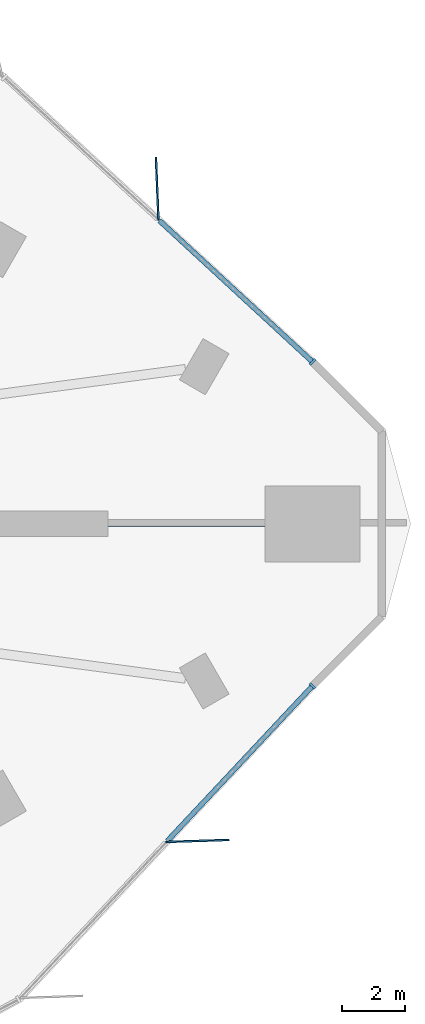
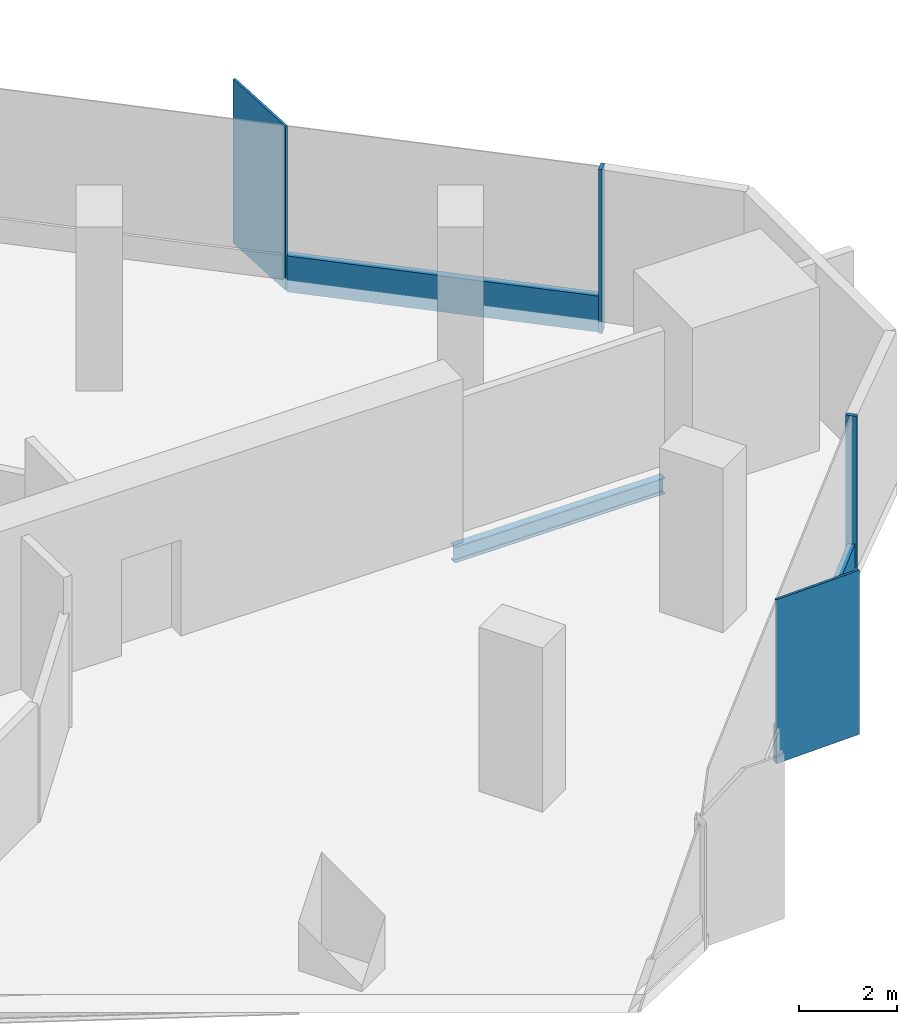
# One storey, part 6 of 14: 6 members, 1 beam, 2 elements without a shape of their own.
"""IFC4 building model written with IfcOpenShell, lengths in metres."""

from ifc_helpers import new_model, si_unit, direction, frame, origin, origin_2d, place, context, subcontext, project, spatial, rectangle, i_section, extrude, material, material_profile, profile_set, type_object, element, aggregate, save


model = new_model("IFC4")

# Units and contexts
model_context = context("Model", 3, precision=1e-05, world=origin(), true_north=direction((0.0, 1.0)))
body_context = subcontext(model_context, "Body", "Model", "MODEL_VIEW")
ifc_project = project(units=[si_unit("LENGTHUNIT", "METRE"), si_unit("AREAUNIT", "SQUARE_METRE"), si_unit("VOLUMEUNIT", "CUBIC_METRE"), si_unit("PLANEANGLEUNIT", "RADIAN"), si_unit("MASSUNIT", "GRAM", prefix="KILO")], contexts=[model_context])

# Site, building, storey
site_placement = place(None, origin())
site = spatial("IfcSite", under=ifc_project, at=site_placement, CompositionType="ELEMENT")
building_placement = place(site_placement, origin())
building = spatial("IfcBuilding", under=site, at=building_placement, Name="Tanit Gate Tower", CompositionType="ELEMENT")
storey_placement = place(building_placement, frame((0.0, 0.0, 123.39990234375)))
storey = spatial("IfcBuildingStorey", under=building, at=storey_placement, Name="L26", CompositionType="ELEMENT", Elevation=123.39990234375)

# Curtain wall, member
ifc_material_1 = material(Name="Aluminium bronze anodised and glass", Category="aluminium")
curtain_wall_type = type_object("IfcCurtainWallType", Name="Curtain wall typical low", PredefinedType="NOTDEFINED", material=ifc_material_1)
curtain_wall_1_placement = place(storey_placement, origin())
curtain_wall_1 = element("IfcCurtainWall", 1, at=curtain_wall_1_placement, inside=storey, type_object=curtain_wall_type, Name="Curtain wall L26 NE1", PredefinedType="NOTDEFINED")
ifc_material_2 = material(Name="Aluminium bronze anodised", Category="aluminium")
ifc_material_profile_1 = material_profile(ifc_material_2, rectangle(XDim=2.0, YDim=0.055908203125, at=origin_2d()), Name="56x2000 bronze fin mullion")
ifc_profile_set_1 = profile_set([ifc_material_profile_1], Name="Aluminium bronze anodised")
member_type_1 = type_object("IfcMemberType", Name="FIN MULLION 56x2000 bronze", PredefinedType="MULLION", material=ifc_profile_set_1)
member_1_placement = place(storey_placement, frame((35.520263671875, 10.579833984375, -0.2998046875), z_axis=(0.0, 0.0, 1.0), x_axis=(0.04032571996, -0.999186587335, 0.0)))
member_1 = element("IfcMember", 2, at=member_1_placement, type_object=member_type_1, Name="Fin mullion L26 NE1.2", PredefinedType="MULLION", context=body_context, shape_type="SweptSolid", body=[
    extrude(rectangle(XDim=2.0, YDim=0.055908203125, at=origin_2d()), origin(), (0.0, 0.0, 1.0), 4.099853515625),
])

curtain_wall_2_placement = place(storey_placement, origin())
curtain_wall_2 = element("IfcCurtainWall", 3, at=curtain_wall_2_placement, inside=storey, type_object=curtain_wall_type, Name="Curtain wall L26 SE3", PredefinedType="NOTDEFINED")
member_2_placement = place(storey_placement, frame((36.78857421875, -10.013427734375, -0.2998046875), z_axis=(0.0, 0.0, 1.0), x_axis=(-0.999463890821, -0.032740356511, 0.0)))
member_2 = element("IfcMember", 4, at=member_2_placement, type_object=member_type_1, Name="Fin mullion L26 SE3.2", PredefinedType="MULLION", context=body_context, shape_type="SweptSolid", body=[
    extrude(rectangle(XDim=2.0, YDim=0.055908203125, at=origin_2d()), origin(), (0.0, 0.0, 1.0), 4.099853515625),
])

# Member
ifc_material_3 = material(Name="Aluminium bronze anodised", Category="aluminium")
ifc_material_profile_2 = material_profile(ifc_material_3, rectangle(XDim=0.239990234375, YDim=0.080078125, at=origin_2d()), Name="80x240 bronze mullion")
ifc_profile_set_2 = profile_set([ifc_material_profile_2], Name="Aluminium bronze anodised")
member_type_2 = type_object("IfcMemberType", Name="Mullion 80x240 typical low", PredefinedType="MULLION", material=ifc_profile_set_2)
member_3_placement = place(storey_placement, frame((40.425537109375, 5.114990234375, -0.2998046875), z_axis=(0.0, 0.0, 1.0), x_axis=(-0.678017021535, -0.735046201615, 0.0)))
member_3 = element("IfcMember", 5, at=member_3_placement, type_object=member_type_2, Name="Mullion L26 NE1.1", PredefinedType="MULLION", context=body_context, shape_type="SweptSolid", body=[
    extrude(rectangle(XDim=0.239990234375, YDim=0.080078125, at=origin_2d()), origin(), (0.0, 0.0, 1.0), 4.099853515625),
])

member_4_placement = place(storey_placement, frame((40.42431640625, -5.1201171875, -0.2998046875), z_axis=(0.0, 0.0, 1.0), x_axis=(-0.729878622858, 0.683576766643, 0.0)))
member_4 = element("IfcMember", 6, at=member_4_placement, type_object=member_type_2, Name="Mullion L26 SE3.3", PredefinedType="MULLION", context=body_context, shape_type="SweptSolid", body=[
    extrude(rectangle(XDim=0.239990234375, YDim=0.080078125, at=origin_2d()), origin(), (0.0, 0.0, 1.0), 4.099853515625),
])

# Beam
ifc_material_4 = material(Name="Steel S355", Category="steel")
ifc_material_profile_3 = material_profile(ifc_material_4, i_section(OverallWidth=0.179931640625, OverallDepth=0.39990234375, WebThickness=0.008544921875, FlangeThickness=0.013427734375, FilletRadius=0.02099609375, at=origin_2d()), Name="IPE 400")
ifc_profile_set_3 = profile_set([ifc_material_profile_3], Name="Steel S355")
beam_type = type_object("IfcBeamType", Name="RADIAL GIRDER IPE 400 S355", PredefinedType="BEAM", material=ifc_profile_set_3)
beam_placement = place(storey_placement, frame((38.92529296875, 0.0, -0.5), z_axis=(-1.0, 0.0, 0.0), x_axis=(0.0, -1.0, 0.0)))
element("IfcBeam", 7, at=beam_placement, inside=storey, type_object=beam_type, Name="RADIAL GIRDER", PredefinedType="BEAM", context=body_context, shape_type="SweptSolid", body=[
    extrude(i_section(OverallWidth=0.179931640625, OverallDepth=0.39990234375, WebThickness=0.008544921875, FlangeThickness=0.013427734375, FilletRadius=0.02099609375, at=origin_2d()), origin(), (0.0, 0.0, 1.0), 4.962890625),
])

# Member
ifc_material_5 = material(Name="Aluminium bronze anodised", Category="aluminium")
ifc_material_profile_4 = material_profile(ifc_material_5, rectangle(XDim=0.159912109375, YDim=0.89990234375, at=origin_2d()), Name="160x900 bronze transom")
ifc_profile_set_4 = profile_set([ifc_material_profile_4], Name="Aluminium bronze anodised")
member_type_3 = type_object("IfcMemberType", Name="Transom 160x900 typical low", PredefinedType="USERDEFINED", material=ifc_profile_set_4)
member_5_placement = place(storey_placement, frame((40.39599609375, 5.14208984375, 0.150146484375), z_axis=(-0.735035267358, 0.678028875299, 0.0), x_axis=(-0.678028875299, -0.735035267358, 0.0)))
member_5 = element("IfcMember", 8, at=member_5_placement, type_object=member_type_3, Name="Transom L26 NE1.1", ObjectType="TRANSOM", PredefinedType="USERDEFINED", context=body_context, shape_type="SweptSolid", body=[
    extrude(rectangle(XDim=0.159912109375, YDim=0.89990234375, at=origin_2d()), origin(), (0.0, 0.0, 1.0), 6.53955078125),
])

aggregate(curtain_wall_1, [member_3, member_1, member_5])

member_6_placement = place(storey_placement, frame((35.839111328125, -10.01611328125, 0.150146484375), z_axis=(0.683568341498, 0.72988651344, 0.0), x_axis=(-0.72988651344, 0.683568341498, 0.0)))
member_6 = element("IfcMember", 9, at=member_6_placement, type_object=member_type_3, Name="Transom L26 SE3.2", ObjectType="TRANSOM", PredefinedType="USERDEFINED", context=body_context, shape_type="SweptSolid", body=[
    extrude(rectangle(XDim=0.159912109375, YDim=0.89990234375, at=origin_2d()), origin(), (0.0, 0.0, 1.0), 6.667724609375),
])

aggregate(curtain_wall_2, [member_2, member_4, member_6])

save(model, "model.ifc")
